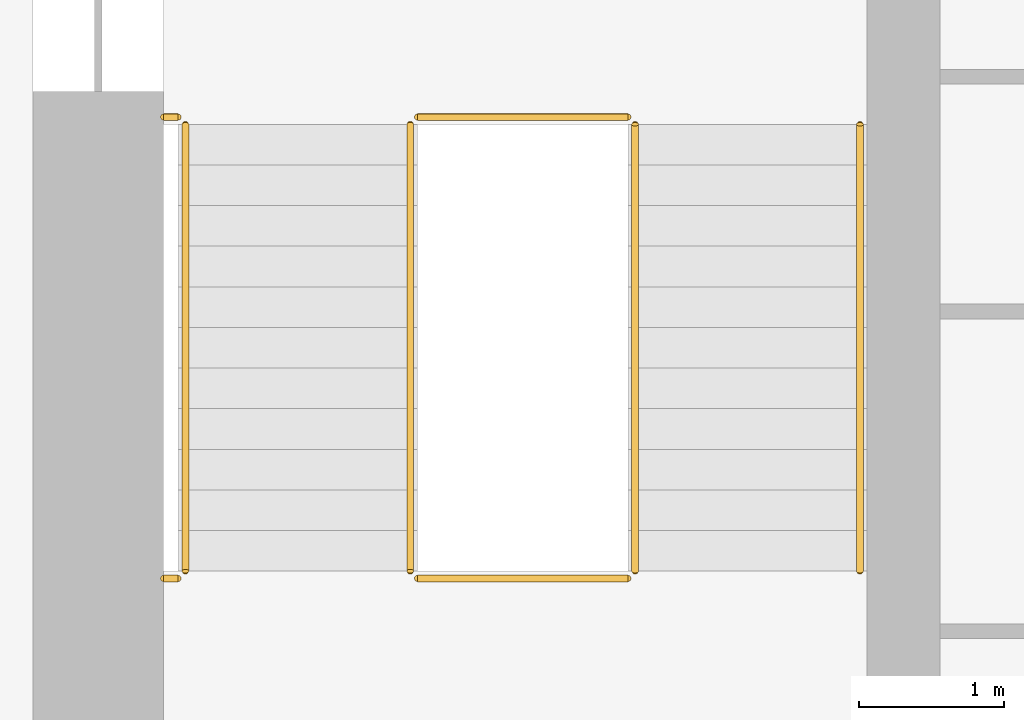
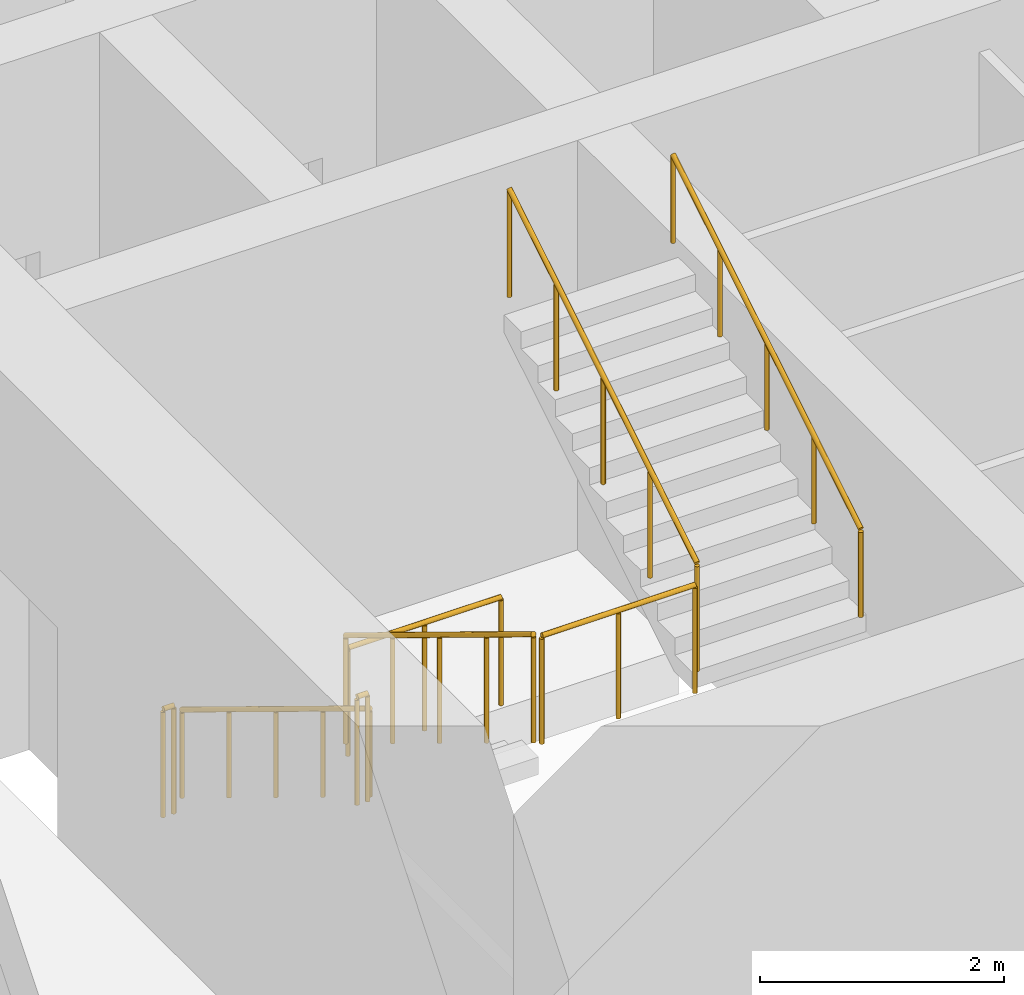
# One storey, part 11 of 17: 8 railings.
"""IFC4 building model written with IfcOpenShell, lengths in metres."""

from ifc_helpers import new_model, si_unit, direction, frame, origin, origin_2d, place, context, subcontext, project, spatial, circle, extrude, material, type_object, element, save


model = new_model("IFC4")

# Units and contexts
model_context = context("Model", 3, precision=1e-05, world=origin(), true_north=direction((0.0, 1.0)))
body_context = subcontext(model_context, "Body", "Model", "MODEL_VIEW")
ifc_project = project(units=[si_unit("LENGTHUNIT", "METRE"), si_unit("AREAUNIT", "SQUARE_METRE"), si_unit("VOLUMEUNIT", "CUBIC_METRE"), si_unit("PLANEANGLEUNIT", "RADIAN"), si_unit("MASSUNIT", "GRAM", prefix="KILO")], contexts=[model_context])

# Site, building, storey
site_placement = place(None, origin())
site = spatial("IfcSite", under=ifc_project, at=site_placement, CompositionType="ELEMENT")
building_placement = place(site_placement, origin())
building = spatial("IfcBuilding", under=site, at=building_placement, Name="Corbel Stack Research Tower", CompositionType="ELEMENT")
storey_placement = place(building_placement, frame((0.0, 0.0, 129.0)))
storey = spatial("IfcBuildingStorey", under=building, at=storey_placement, Name="L29", CompositionType="ELEMENT", Elevation=129.0)

# Railings
ifc_material_1 = material(Name="Steel S355", Category="steel")
railing_type_1 = type_object("IfcRailingType", Name="Stair guard 1100", PredefinedType="GUARDRAIL", material=ifc_material_1)
railing_1_placement = place(storey_placement, frame((-7.89990234375, -2.39990234375, 0.1708984375)))
element("IfcRailing", 1, at=railing_1_placement, inside=storey, type_object=railing_type_1, Name="L29 ST-W1 stair guard 1", PredefinedType="GUARDRAIL", context=body_context, shape_type="SweptSolid", body=[
    extrude(circle(Radius=0.02392578125, at=origin_2d()), frame((0.0, 0.0, 1.076171875), z_axis=(0.0, -0.853666305674, 0.52082035152), x_axis=(1.0, 0.0, 0.0)), (0.0, 0.0, 1.0), 3.608154296875),
    extrude(circle(Radius=0.02099609375, at=origin_2d()), origin(), (0.0, 0.0, 1.0), 1.052001953125),
    extrude(circle(Radius=0.02099609375, at=origin_2d()), frame((0.0, -0.77001953125, 0.4697265625)), (0.0, 0.0, 1.0), 1.052001953125),
    extrude(circle(Radius=0.02099609375, at=origin_2d()), frame((0.0, -1.5400390625, 0.939453125)), (0.0, 0.0, 1.0), 1.052001953125),
    extrude(circle(Radius=0.02099609375, at=origin_2d()), frame((0.0, -2.31005859375, 1.409423828125)), (0.0, 0.0, 1.0), 1.052001953125),
    extrude(circle(Radius=0.02099609375, at=origin_2d()), frame((0.0, -3.080078125, 1.879150390625)), (0.0, 0.0, 1.0), 1.052001953125),
])
railing_2_placement = place(storey_placement, frame((-7.85009765625, -5.530029296875, 2.050048828125)))
element("IfcRailing", 2, at=railing_2_placement, inside=storey, type_object=railing_type_1, Name="L29 ST-W1 stair guard 2", PredefinedType="GUARDRAIL", context=body_context, shape_type="SweptSolid", body=[
    extrude(circle(Radius=0.02392578125, at=origin_2d()), frame((0.0, 0.0, 1.076171875), z_axis=(1.0, 0.0, 0.0), x_axis=(0.0, 1.0, 0.0)), (0.0, 0.0, 1.0), 1.4501953125),
    extrude(circle(Radius=0.02099609375, at=origin_2d()), origin(), (0.0, 0.0, 1.0), 1.052001953125),
    extrude(circle(Radius=0.02099609375, at=origin_2d()), frame((0.72509765625, 0.0, 0.0)), (0.0, 0.0, 1.0), 1.052001953125),
    extrude(circle(Radius=0.02099609375, at=origin_2d()), frame((1.4501953125, 0.0, 0.0)), (0.0, 0.0, 1.0), 1.052001953125),
])
railing_3_placement = place(storey_placement, frame((-9.60009765625, -5.530029296875, 2.050048828125)))
element("IfcRailing", 3, at=railing_3_placement, inside=storey, type_object=railing_type_1, Name="L29 ST-W1 stair guard 3", PredefinedType="GUARDRAIL", context=body_context, shape_type="SweptSolid", body=[
    extrude(circle(Radius=0.02392578125, at=origin_2d()), frame((0.0, 0.0, 1.076171875), z_axis=(1.0, 0.0, 0.0), x_axis=(0.0, 1.0, 0.0)), (0.0, 0.0, 1.0), 0.10009765625),
    extrude(circle(Radius=0.02099609375, at=origin_2d()), origin(), (0.0, 0.0, 1.0), 1.052001953125),
    extrude(circle(Radius=0.02099609375, at=origin_2d()), frame((0.10009765625, 0.0, 0.0)), (0.0, 0.0, 1.0), 1.052001953125),
])
railing_4_placement = place(storey_placement, frame((-6.35009765625, -5.47998046875, 2.220947265625)))
element("IfcRailing", 4, at=railing_4_placement, inside=storey, type_object=railing_type_1, Name="L29 ST-W1 stair guard 4", PredefinedType="GUARDRAIL", context=body_context, shape_type="SweptSolid", body=[
    extrude(circle(Radius=0.02392578125, at=origin_2d()), frame((0.0, 0.0, 1.076171875), z_axis=(0.0, 0.853666305674, 0.52082035152), x_axis=(-1.0, 0.0, 0.0)), (0.0, 0.0, 1.0), 3.608154296875),
    extrude(circle(Radius=0.02099609375, at=origin_2d()), origin(), (0.0, 0.0, 1.0), 1.052001953125),
    extrude(circle(Radius=0.02099609375, at=origin_2d()), frame((0.0, 0.77001953125, 0.4697265625)), (0.0, 0.0, 1.0), 1.052001953125),
    extrude(circle(Radius=0.02099609375, at=origin_2d()), frame((0.0, 1.5400390625, 0.939453125)), (0.0, 0.0, 1.0), 1.052001953125),
    extrude(circle(Radius=0.02099609375, at=origin_2d()), frame((0.0, 2.31005859375, 1.409423828125)), (0.0, 0.0, 1.0), 1.052001953125),
    extrude(circle(Radius=0.02099609375, at=origin_2d()), frame((0.0, 3.080078125, 1.879150390625)), (0.0, 0.0, 1.0), 1.052001953125),
])
railing_5_placement = place(storey_placement, frame((-7.85009765625, -2.35009765625, 0.0)))
element("IfcRailing", 5, at=railing_5_placement, inside=storey, type_object=railing_type_1, Name="L29 ST-W1 stair guard 5", PredefinedType="GUARDRAIL", context=body_context, shape_type="SweptSolid", body=[
    extrude(circle(Radius=0.02392578125, at=origin_2d()), frame((0.0, 0.0, 1.076171875), z_axis=(1.0, 0.0, 0.0), x_axis=(0.0, 1.0, 0.0)), (0.0, 0.0, 1.0), 1.4501953125),
    extrude(circle(Radius=0.02099609375, at=origin_2d()), origin(), (0.0, 0.0, 1.0), 1.052001953125),
    extrude(circle(Radius=0.02099609375, at=origin_2d()), frame((0.72509765625, 0.0, 0.0)), (0.0, 0.0, 1.0), 1.052001953125),
    extrude(circle(Radius=0.02099609375, at=origin_2d()), frame((1.4501953125, 0.0, 0.0)), (0.0, 0.0, 1.0), 1.052001953125),
])
railing_6_placement = place(storey_placement, frame((-9.60009765625, -2.35009765625, 0.0)))
element("IfcRailing", 6, at=railing_6_placement, inside=storey, type_object=railing_type_1, Name="L29 ST-W1 stair guard 6", PredefinedType="GUARDRAIL", context=body_context, shape_type="SweptSolid", body=[
    extrude(circle(Radius=0.02392578125, at=origin_2d()), frame((0.0, 0.0, 1.076171875), z_axis=(1.0, 0.0, 0.0), x_axis=(0.0, 1.0, 0.0)), (0.0, 0.0, 1.0), 0.10009765625),
    extrude(circle(Radius=0.02099609375, at=origin_2d()), origin(), (0.0, 0.0, 1.0), 1.052001953125),
    extrude(circle(Radius=0.02099609375, at=origin_2d()), frame((0.10009765625, 0.0, 0.0)), (0.0, 0.0, 1.0), 1.052001953125),
])
ifc_material_2 = material(Name="Steel S355", Category="steel")
railing_type_2 = type_object("IfcRailingType", Name="Stair handrail 900", PredefinedType="HANDRAIL", material=ifc_material_2)
railing_7_placement = place(storey_placement, frame((-9.449951171875, -2.39990234375, 0.1708984375)))
element("IfcRailing", 7, at=railing_7_placement, inside=storey, type_object=railing_type_2, Name="L29 ST-W1 stair handrail 1", PredefinedType="HANDRAIL", context=body_context, shape_type="SweptSolid", body=[
    extrude(circle(Radius=0.02392578125, at=origin_2d()), frame((0.0, 0.0, 0.8759765625), z_axis=(0.0, -0.853666305674, 0.52082035152), x_axis=(1.0, 0.0, 0.0)), (0.0, 0.0, 1.0), 3.608154296875),
    extrude(circle(Radius=0.02099609375, at=origin_2d()), origin(), (0.0, 0.0, 1.0), 0.851806640625),
    extrude(circle(Radius=0.02099609375, at=origin_2d()), frame((0.0, -0.77001953125, 0.4697265625)), (0.0, 0.0, 1.0), 0.851806640625),
    extrude(circle(Radius=0.02099609375, at=origin_2d()), frame((0.0, -1.5400390625, 0.939453125)), (0.0, 0.0, 1.0), 0.851806640625),
    extrude(circle(Radius=0.02099609375, at=origin_2d()), frame((0.0, -2.31005859375, 1.409423828125)), (0.0, 0.0, 1.0), 0.851806640625),
    extrude(circle(Radius=0.02099609375, at=origin_2d()), frame((0.0, -3.080078125, 1.879150390625)), (0.0, 0.0, 1.0), 0.851806640625),
])
railing_8_placement = place(storey_placement, frame((-4.800048828125, -5.47998046875, 2.220947265625)))
element("IfcRailing", 8, at=railing_8_placement, inside=storey, type_object=railing_type_2, Name="L29 ST-W1 stair handrail 2", PredefinedType="HANDRAIL", context=body_context, shape_type="SweptSolid", body=[
    extrude(circle(Radius=0.02392578125, at=origin_2d()), frame((0.0, 0.0, 0.8759765625), z_axis=(0.0, 0.853666305674, 0.52082035152), x_axis=(-1.0, 0.0, 0.0)), (0.0, 0.0, 1.0), 3.608154296875),
    extrude(circle(Radius=0.02099609375, at=origin_2d()), origin(), (0.0, 0.0, 1.0), 0.851806640625),
    extrude(circle(Radius=0.02099609375, at=origin_2d()), frame((0.0, 0.77001953125, 0.4697265625)), (0.0, 0.0, 1.0), 0.851806640625),
    extrude(circle(Radius=0.02099609375, at=origin_2d()), frame((0.0, 1.5400390625, 0.939453125)), (0.0, 0.0, 1.0), 0.851806640625),
    extrude(circle(Radius=0.02099609375, at=origin_2d()), frame((0.0, 2.31005859375, 1.409423828125)), (0.0, 0.0, 1.0), 0.851806640625),
    extrude(circle(Radius=0.02099609375, at=origin_2d()), frame((0.0, 3.080078125, 1.879150390625)), (0.0, 0.0, 1.0), 0.851806640625),
])

save(model, "model.ifc")
